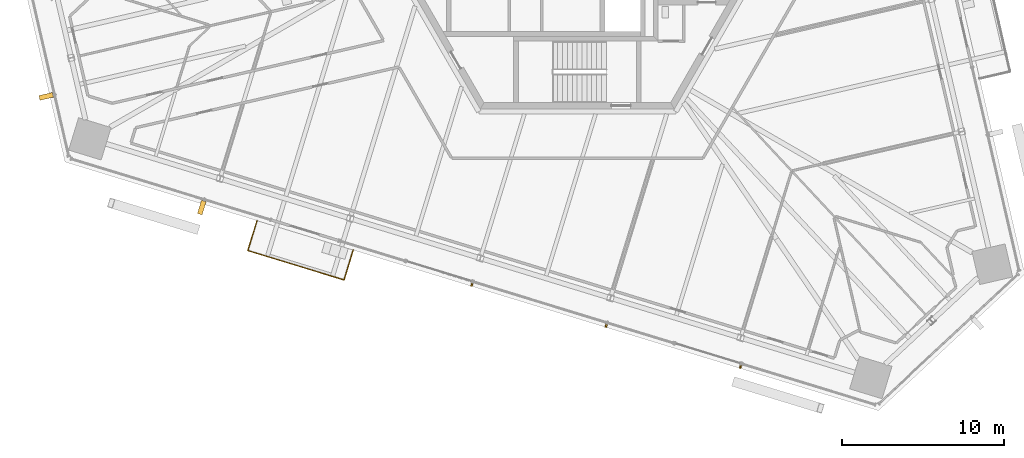
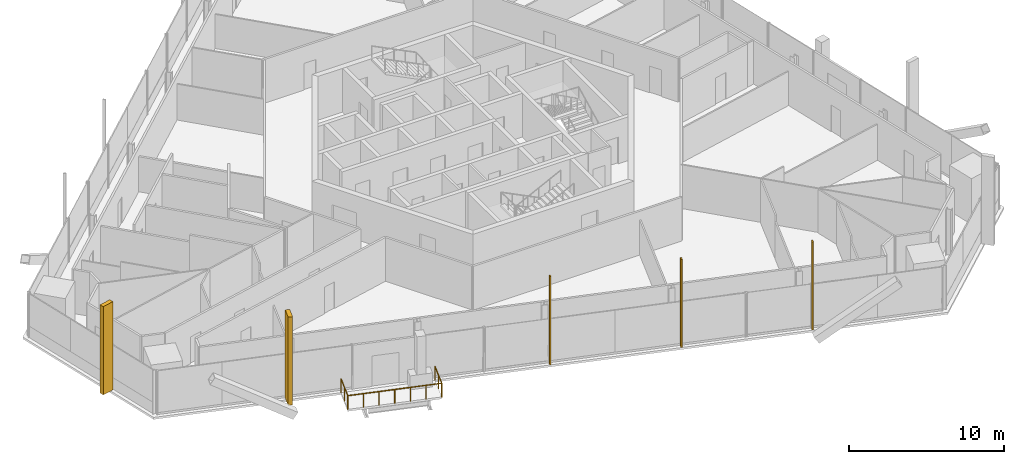
# One storey, part 18 of 24: 5 shading devices, 1 railing.
"""IFC4 building model written with IfcOpenShell, lengths in metres."""

import ifcopenshell
import ifcopenshell.guid

model = None  # the IFC model being written
_history = None  # IfcOwnerHistory: only IFC2X3 demands one
_inside = {}  # id of a spatial element -> (the spatial element, [elements in it])
_under = {}  # id of a project, library or spatial element -> (it, [spatial elements below it])
_declared = {}  # id of a project -> (the project, [libraries it declares])
_typed = {}  # id of a type object -> (the type object, [elements of that type])
_made_of = {}  # id of a material, layer set ... -> (it, [elements and type objects made of it])


def new_model(schema):
    """Start an empty IFC model of exactly this schema.

    Asked for "IFC4X3", IfcOpenShell would pick the latest addendum, in which some entities
    have other attributes; the version numbers below select the first issue.
    IFC2X3 requires an IfcOwnerHistory on every rooted entity: one is made here for all.
    """
    global model, _history
    if schema == "IFC4X3":
        model = ifcopenshell.file(schema_version=(4, 3, 0, 0))
    else:
        model = ifcopenshell.file(schema=schema)
    _inside.clear()
    _under.clear()
    _declared.clear()
    _typed.clear()
    _made_of.clear()
    _history = None
    if model.schema == "IFC2X3":
        org = make("IfcOrganization", Name="unknown")
        user = make(
            "IfcPersonAndOrganization",
            ThePerson=make("IfcPerson", FamilyName="unknown"),
            TheOrganization=org,
        )
        app = make(
            "IfcApplication",
            ApplicationDeveloper=org,
            Version="unknown",
            ApplicationFullName="unknown",
            ApplicationIdentifier="unknown",
        )
        _history = make(
            "IfcOwnerHistory",
            OwningUser=user,
            OwningApplication=app,
            ChangeAction="ADDED",
            CreationDate=0,
        )
    return model


def make(cls, **values):
    """One entity of the class cls with the attributes given. An attribute that is None is left unset."""
    return model.create_entity(
        cls, **{name: value for name, value in values.items() if value is not None}
    )


def rooted(cls, **values):
    """An entity with a GlobalId (a new one), such as an element, a storey or a relation."""
    return make(cls, GlobalId=ifcopenshell.guid.new(), OwnerHistory=_history, **values)


def si_unit(unit_type, name, prefix=None):
    """IfcSIUnit, for example si_unit("LENGTHUNIT", "METRE", prefix="MILLI")."""
    return make("IfcSIUnit", UnitType=unit_type, Prefix=prefix, Name=name)


def assignment(units):
    """IfcUnitAssignment: the units of a project."""
    return None if units is None else make("IfcUnitAssignment", Units=units)


def point(xyz):
    """IfcCartesianPoint."""
    return None if xyz is None else make("IfcCartesianPoint", Coordinates=xyz)


def direction(xyz):
    """IfcDirection."""
    return None if xyz is None else make("IfcDirection", DirectionRatios=xyz)


def frame(location, z_axis=None, x_axis=None):
    """IfcAxis2Placement3D, a coordinate frame: its origin and axes. An axis left out is left unset."""
    return make(
        "IfcAxis2Placement3D",
        Location=point(location),
        Axis=direction(z_axis),
        RefDirection=direction(x_axis),
    )


def frame_2d(location, x_axis=None):
    """IfcAxis2Placement2D, a coordinate frame in the plane: its origin and x axis."""
    return make(
        "IfcAxis2Placement2D", Location=point(location), RefDirection=direction(x_axis)
    )


def origin():
    """The frame at (0, 0, 0) with its axes left unset."""
    return frame((0.0, 0.0, 0.0))


def origin_2d():
    """The frame at (0, 0) in the plane with its x axis left unset."""
    return frame_2d((0.0, 0.0))


def place(relative_to, where):
    """IfcLocalPlacement: puts the frame where relative to a parent placement (None: the world)."""
    return make(
        "IfcLocalPlacement", PlacementRelTo=relative_to, RelativePlacement=where
    )


def context(
    kind, dimensions, precision=None, world=None, true_north=None, identifier=None
):
    """IfcGeometricRepresentationContext, for example the 3D "Model" context."""
    return make(
        "IfcGeometricRepresentationContext",
        ContextIdentifier=identifier,
        ContextType=kind,
        CoordinateSpaceDimension=dimensions,
        Precision=precision,
        WorldCoordinateSystem=world,
        TrueNorth=true_north,
    )


def subcontext(parent, identifier, kind, view, scale=None):
    """IfcGeometricRepresentationSubContext, for example "Body" below "Model"."""
    return make(
        "IfcGeometricRepresentationSubContext",
        ContextIdentifier=identifier,
        ContextType=kind,
        ParentContext=parent,
        TargetScale=scale,
        TargetView=view,
    )


def project(units=None, contexts=None):
    """IfcProject with its units and contexts."""
    return rooted(
        "IfcProject",
        Name="project",
        RepresentationContexts=contexts,
        UnitsInContext=assignment(units),
    )


def spatial(cls, under=None, at=None, **own):
    """A site, building, storey or space (cls), placed at a placement, below another one or the project."""
    s = rooted(cls, ObjectPlacement=at, **own)
    if under is not None:
        _under.setdefault(under.id(), (under, []))[1].append(s)
    return s


def profile(cls, at=None, kind="AREA", **sizes):
    """A parametric profile (cls). Its sizes go by their IFC names, for example OverallWidth=200.0."""
    return make(cls, ProfileType=kind, Position=at, **sizes)


def rectangle(**sizes):
    """IfcRectangleProfileDef."""
    return profile("IfcRectangleProfileDef", **sizes)


def circle(**sizes):
    """IfcCircleProfileDef."""
    return profile("IfcCircleProfileDef", **sizes)


def extrude(swept, where, along, depth):
    """IfcExtrudedAreaSolid: the profile swept, set in the frame where, extruded along a direction by depth."""
    return make(
        "IfcExtrudedAreaSolid",
        SweptArea=swept,
        Position=where,
        ExtrudedDirection=direction(along),
        Depth=depth,
    )


def shape(context_of_items, identifier, shape_type, items):
    """IfcShapeRepresentation: the items that make up one representation, for example the "Body"."""
    return make(
        "IfcShapeRepresentation",
        ContextOfItems=context_of_items,
        RepresentationIdentifier=identifier,
        RepresentationType=shape_type,
        Items=items,
    )


def source(mapping_origin, context_of_items, identifier, shape_type, items):
    """IfcRepresentationMap: a shape defined once, which mapped items show again and again."""
    return make(
        "IfcRepresentationMap",
        MappingOrigin=mapping_origin,
        MappedRepresentation=shape(context_of_items, identifier, shape_type, items),
    )


def transform(
    local_origin,
    x_axis=None,
    y_axis=None,
    z_axis=None,
    scale=None,
    scale2=None,
    scale3=None,
    uniform=True,
):
    """IfcCartesianTransformationOperator3D, or its non-uniform kind. x_axis, y_axis, z_axis: its Axis1, 2, 3."""
    if uniform:
        return make(
            "IfcCartesianTransformationOperator3D",
            Axis1=direction(x_axis),
            Axis2=direction(y_axis),
            LocalOrigin=point(local_origin),
            Scale=scale,
            Axis3=direction(z_axis),
        )
    return make(
        "IfcCartesianTransformationOperator3DnonUniform",
        Axis1=direction(x_axis),
        Axis2=direction(y_axis),
        LocalOrigin=point(local_origin),
        Scale=scale,
        Axis3=direction(z_axis),
        Scale2=scale2,
        Scale3=scale3,
    )


def mapped(mapping_source, mapping_target):
    """IfcMappedItem: shows the shape of a source again, moved by a transform."""
    return make(
        "IfcMappedItem", MappingSource=mapping_source, MappingTarget=mapping_target
    )


def material(Name=None, Category=None):
    """IfcMaterial."""
    return make("IfcMaterial", Name=Name, Category=Category)


def made_of(thing, what):
    """Note that an element or type object is made of a material, layer set ...; save() writes the relation."""
    if what is not None:
        _made_of.setdefault(what.id(), (what, []))[1].append(thing)
    return thing


def type_object(cls, material=None, **own):
    """A type object (cls), such as IfcWallType, which elements share."""
    return made_of(rooted(cls, **own), material)


def element(
    cls,
    number,
    at=None,
    inside=None,
    cuts=None,
    type_object=None,
    material=None,
    context=None,
    identifier="Body",
    shape_type=None,
    held_by="IfcProductDefinitionShape",
    body=None,
    shapes=None,
    **own,
):
    """One element of the class cls, such as IfcWall. Its Tag is "e" and its number.

    at: its placement. inside: the storey or other place that contains it. cuts: it is an
    opening in that element (IfcRelVoidsElement). A single representation is given by context,
    identifier, shape_type and body (its items); several are given by shapes. held_by: the class
    of the entity that holds the representations. save() writes the other relations.
    """
    e = rooted(cls, Tag="e%d" % number, ObjectPlacement=at, **own)
    if body is not None:
        shapes = [shape(context, identifier, shape_type, body)]
    if shapes is not None:
        e.Representation = make(held_by, Representations=shapes)
    if inside is not None:
        _inside.setdefault(inside.id(), (inside, []))[1].append(e)
    if cuts is not None:
        rooted(
            "IfcRelVoidsElement", RelatingBuildingElement=cuts, RelatedOpeningElement=e
        )
    if type_object is not None:
        _typed.setdefault(type_object.id(), (type_object, []))[1].append(e)
    return made_of(e, material)


def aggregate(whole, parts):
    """IfcRelAggregates: a whole, such as a stair, and the parts it consists of."""
    return rooted("IfcRelAggregates", RelatingObject=whole, RelatedObjects=parts)


def save(model, path):
    """Write the relations noted so far, then the file.

    IfcRelAggregates (storeys below a building ...), IfcRelContainedInSpatialStructure (elements
    in a storey), IfcRelDefinesByType, IfcRelAssociatesMaterial and IfcRelDeclares: one each for
    every whole, place, type object, material and project.
    """
    for whole, parts in _under.values():
        aggregate(whole, parts)
    for where, things in _inside.values():
        rooted(
            "IfcRelContainedInSpatialStructure",
            RelatedElements=things,
            RelatingStructure=where,
        )
    for kind, things in _typed.values():
        rooted("IfcRelDefinesByType", RelatedObjects=things, RelatingType=kind)
    for what, things in _made_of.values():
        rooted("IfcRelAssociatesMaterial", RelatedObjects=things, RelatingMaterial=what)
    for by, libraries in _declared.values():
        rooted("IfcRelDeclares", RelatingContext=by, RelatedDefinitions=libraries)
    model.write(path)


model = new_model("IFC4")

# Units and contexts
model_context = context("Model", 3, precision=1e-05, world=origin(), true_north=direction((0.0, 1.0)))
body_context = subcontext(model_context, "Body", "Model", "MODEL_VIEW")
ifc_project = project(units=[si_unit("LENGTHUNIT", "METRE"), si_unit("AREAUNIT", "SQUARE_METRE"), si_unit("VOLUMEUNIT", "CUBIC_METRE"), si_unit("PLANEANGLEUNIT", "RADIAN"), si_unit("MASSUNIT", "GRAM", prefix="KILO")], contexts=[model_context])

# Site, building, storey
site_placement = place(None, origin())
site = spatial("IfcSite", under=ifc_project, at=site_placement, CompositionType="ELEMENT")
building_placement = place(site_placement, origin())
building = spatial("IfcBuilding", under=site, at=building_placement, Name="Triune Harvest Tower", CompositionType="ELEMENT")
storey_placement = place(building_placement, frame((0.0, 0.0, 127.10009765625)))
storey = spatial("IfcBuildingStorey", under=building, at=storey_placement, Name="L32", CompositionType="ELEMENT", Elevation=127.10009765625)

# Shading devices
ifc_material_1 = material(Name="Aluminium bronze anodised", Category="aluminium")
shared_shape_1 = source(origin(), body_context, "Body", "SweptSolid", [
    extrude(rectangle(XDim=0.300048828125, YDim=0.85009765625, at=origin_2d()), origin(), (0.0, 0.0, 1.0), 6.949951171875),
])
for number, where, z_axis, x_axis, name in (
    (1, (-32.838134765625, -9.607666015625, 0.0), (0.0, 0.0, 1.0), (0.224946950683, -0.974371012181, 0.0), "FN-2 fin B3-F4.3 L32"),
    (2, (-23.216552734375, -16.4814453125, 0.0), (0.0, 0.0, 1.0), (0.956304229664, -0.292373426164, 0.0), "FN-2 fin B3-F5.3 L32"),
):
    element("IfcShadingDevice", number, at=place(storey_placement, frame(where, z_axis=z_axis, x_axis=x_axis)), inside=storey, material=ifc_material_1, Name=name, ObjectType="FIN", PredefinedType="USERDEFINED", context=body_context, shape_type="MappedRepresentation", body=[
        mapped(shared_shape_1, transform((0.0, 0.0, 0.0), scale=1.0)),
    ])
shared_shape_2 = source(origin(), body_context, "Body", "SweptSolid", [
    extrude(rectangle(XDim=0.10009765625, YDim=0.199951171875, at=origin_2d()), origin(), (0.0, 0.0, 1.0), 6.949951171875),
])
for number, where, z_axis, x_axis, name in (
    (3, (-6.519287109375, -21.24658203125, 0.0), (0.0, 0.0, 1.0), (0.956304229664, -0.292373426164, 0.0), "FN-1 fin B3-F5.7 L32"),
    (4, (1.78564453125, -23.78564453125, 0.0), (0.0, 0.0, 1.0), (0.956304229664, -0.292373426164, 0.0), "FN-1 fin B3-F5.9 L32"),
    (5, (10.09033203125, -26.32470703125, 0.0), (0.0, 0.0, 1.0), (0.956304229664, -0.292373426164, 0.0), "FN-1 fin B3-F5.11 L32"),
):
    element("IfcShadingDevice", number, at=place(storey_placement, frame(where, z_axis=z_axis, x_axis=x_axis)), inside=storey, material=ifc_material_1, Name=name, ObjectType="FIN", PredefinedType="USERDEFINED", context=body_context, shape_type="MappedRepresentation", body=[
        mapped(shared_shape_2, transform((0.0, 0.0, 0.0), scale=1.0)),
    ])

# Railing
ifc_material_2 = material(Name="Glass", Category="glass")
railing_type = type_object("IfcRailingType", Name="GD-2 balcony guard 1100", PredefinedType="GUARDRAIL", material=ifc_material_2)
shared_shape_3 = source(origin(), body_context, "Body", "SweptSolid", [
    extrude(circle(Radius=0.02392578125, at=origin_2d()), frame((0.0, 0.0, 1.076171875), z_axis=(-0.292388744289, -0.956299546279, 0.0), x_axis=(0.956299546279, -0.292388744289, 0.0)), (0.0, 0.0, 1.0), 1.931396484375),
    extrude(circle(Radius=0.02392578125, at=origin_2d()), frame((-0.564697265625, -1.846923828125, 1.076171875), z_axis=(0.956300358826, -0.292386086722, 0.0), x_axis=(0.292386086722, 0.956300358826, 0.0)), (0.0, 0.0, 1.0), 6.218994140625),
    extrude(circle(Radius=0.02392578125, at=origin_2d()), frame((5.382568359375, -3.665283203125, 1.076171875), z_axis=(0.292388744289, 0.956299546279, 0.0), x_axis=(-0.956299546279, 0.292388744289, 0.0)), (0.0, 0.0, 1.0), 1.931396484375),
    extrude(circle(Radius=0.02099609375, at=origin_2d()), origin(), (0.0, 0.0, 1.0), 1.052001953125),
    extrude(circle(Radius=0.02099609375, at=origin_2d()), frame((-0.2822265625, -0.92333984375, 0.0)), (0.0, 0.0, 1.0), 1.052001953125),
    extrude(circle(Radius=0.02099609375, at=origin_2d()), frame((-0.564697265625, -1.846923828125, 0.0)), (0.0, 0.0, 1.0), 1.052001953125),
    extrude(circle(Radius=0.02099609375, at=origin_2d()), frame((0.426513671875, -2.14990234375, 0.0)), (0.0, 0.0, 1.0), 1.052001953125),
    extrude(circle(Radius=0.02099609375, at=origin_2d()), frame((1.417724609375, -2.453125, 0.0)), (0.0, 0.0, 1.0), 1.052001953125),
    extrude(circle(Radius=0.02099609375, at=origin_2d()), frame((2.408935546875, -2.756103515625, 0.0)), (0.0, 0.0, 1.0), 1.052001953125),
    extrude(circle(Radius=0.02099609375, at=origin_2d()), frame((3.400146484375, -3.05908203125, 0.0)), (0.0, 0.0, 1.0), 1.052001953125),
    extrude(circle(Radius=0.02099609375, at=origin_2d()), frame((4.391357421875, -3.3623046875, 0.0)), (0.0, 0.0, 1.0), 1.052001953125),
    extrude(circle(Radius=0.02099609375, at=origin_2d()), frame((5.382568359375, -3.665283203125, 0.0)), (0.0, 0.0, 1.0), 1.052001953125),
    extrude(circle(Radius=0.02099609375, at=origin_2d()), frame((5.6650390625, -2.74169921875, 0.0)), (0.0, 0.0, 1.0), 1.052001953125),
    extrude(circle(Radius=0.02099609375, at=origin_2d()), frame((5.947265625, -1.818359375, 0.0)), (0.0, 0.0, 1.0), 1.052001953125),
])
railing_placement = place(storey_placement, frame((-19.8037109375, -17.28955078125, 0.0)))
element("IfcRailing", 6, at=railing_placement, inside=storey, type_object=railing_type, Name="Balcony guard B3-F5 L32.4", PredefinedType="GUARDRAIL", context=body_context, shape_type="MappedRepresentation", body=[
    mapped(shared_shape_3, transform((0.0, 0.0, 0.0), scale=1.0)),
])

save(model, "model.ifc")
